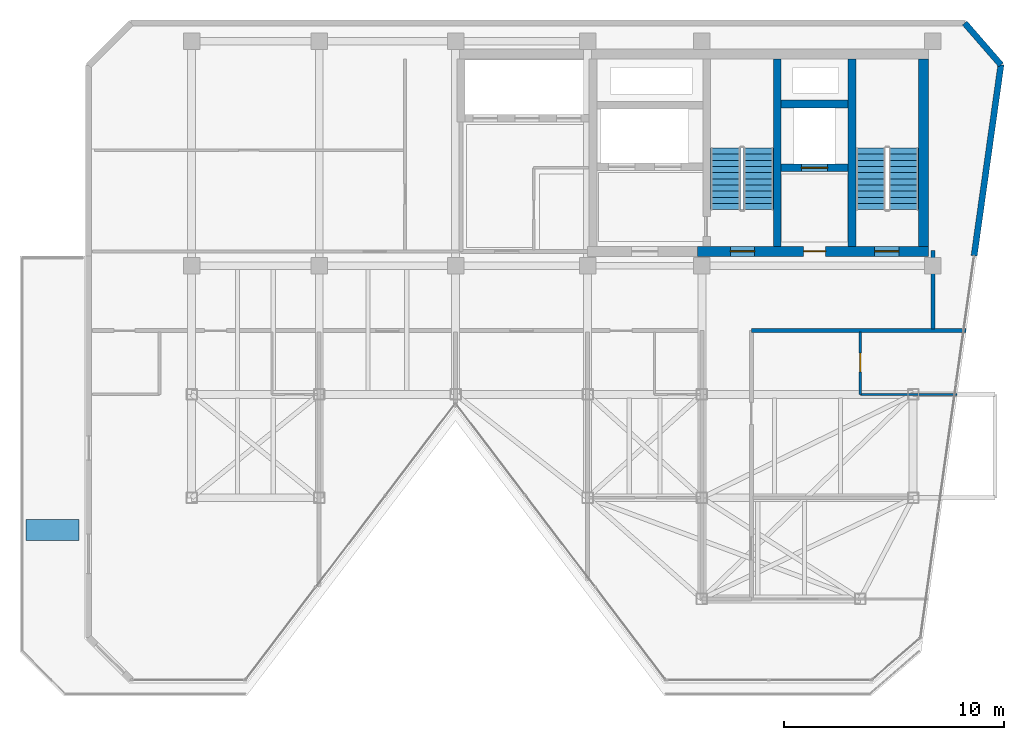
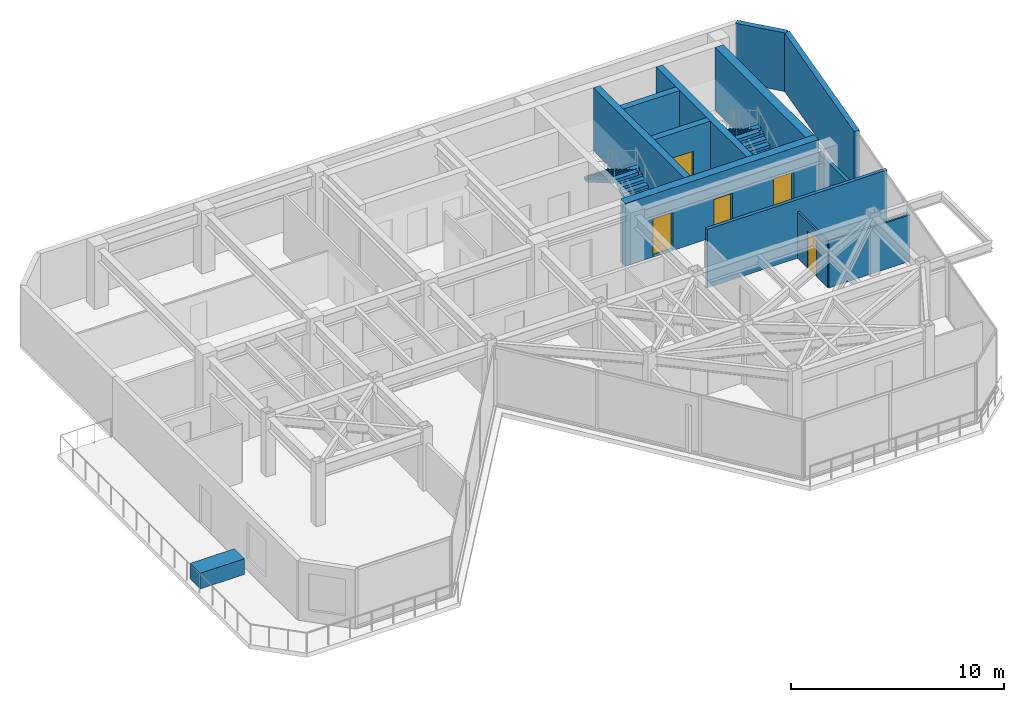
# One storey, part 15 of 17: 12 walls, 5 doors, 4 stair flights, 1 discrete accessory, 5 openings, 2 elements without a shape of their own.
"""IFC4 building model written with IfcOpenShell, lengths in metres."""

from ifc_helpers import new_model, si_unit, direction, frame, frame_2d, origin, origin_2d, place, context, subcontext, project, spatial, polyline, rectangle, outline, extrude, material, layer, layer_set, type_object, element, fill, aggregate, save


model = new_model("IFC4")

# Units and contexts
model_context = context("Model", 3, precision=1e-05, world=origin(), true_north=direction((0.0, 1.0)))
body_context = subcontext(model_context, "Body", "Model", "MODEL_VIEW")
ifc_project = project(units=[si_unit("LENGTHUNIT", "METRE"), si_unit("AREAUNIT", "SQUARE_METRE"), si_unit("VOLUMEUNIT", "CUBIC_METRE"), si_unit("PLANEANGLEUNIT", "RADIAN"), si_unit("MASSUNIT", "GRAM", prefix="KILO")], contexts=[model_context])

# Site, building, storey
site_placement = place(None, origin())
site = spatial("IfcSite", under=ifc_project, at=site_placement, CompositionType="ELEMENT")
building_placement = place(site_placement, origin())
building = spatial("IfcBuilding", under=site, at=building_placement, Name="Kravanh Interchange Tower", CompositionType="ELEMENT")
storey_placement = place(building_placement, frame((0.0, 0.0, 263.39990234375)))
storey = spatial("IfcBuildingStorey", under=building, at=storey_placement, Name="L64", CompositionType="ELEMENT", Elevation=263.39990234375)

# Walls
ifc_material_1 = material(Name="Concrete C60/75", Category="concrete")
ifc_layer_1 = layer(ifc_material_1, 0.35009765625)
ifc_layer_set_1 = layer_set([ifc_layer_1], Name="Core Shear Wall Concrete C60/75 350mm")
wall_type_1 = type_object("IfcWallType", Name="Core Shear Wall Concrete C60/75 350mm", PredefinedType="SHEAR", material=ifc_layer_set_1)
for number, where, z_axis, x_axis, name in (
    (1, (62.824951171875, 38.22509765625, 0.0), (0.0, 0.0, 1.0), (0.0, 1.0, 0.0), "L64 Stair ST1 West Shear Wall"),
    (2, (59.425048828125, 38.22509765625, 0.0), (0.0, 0.0, 1.0), (0.0, 1.0, 0.0), "L64 Stair ST2 East Shear Wall"),
):
    element("IfcWall", number, at=place(storey_placement, frame(where, z_axis=z_axis, x_axis=x_axis)), inside=storey, type_object=wall_type_1, Name=name, PredefinedType="SHEAR", context=body_context, shape_type="SweptSolid", body=[
        extrude(rectangle(XDim=8.52490234375, YDim=0.35009765625, at=frame_2d((4.262451171875, 0.0))), origin(), (0.0, 0.0, 1.0), 3.60009765625),
    ])

# Wall, opening, door
wall_1_placement = place(storey_placement, frame((59.60009765625, 41.800048828125, 0.0), z_axis=(0.0, 0.0, 1.0), x_axis=(1.0, 0.0, 0.0)))
wall_1 = element("IfcWall", 3, at=wall_1_placement, inside=storey, type_object=wall_type_1, Name="L64 Service Lift Shaft South Wall", PredefinedType="SHEAR", context=body_context, shape_type="SweptSolid", body=[
    extrude(rectangle(XDim=3.0498046875, YDim=0.35009765625, at=frame_2d((1.52490234375, 0.0))), origin(), (0.0, 0.0, 1.0), 3.60009765625),
])
opening_1_placement = place(wall_1_placement, frame((0.919921875, 0.0, 0.0)))
opening_1 = element("IfcOpeningElement", 4, at=opening_1_placement, cuts=wall_1, Name="Opening LD02", PredefinedType="OPENING", context=body_context, shape_type="SweptSolid", body=[
    extrude(rectangle(XDim=1.199951171875, YDim=2.199951171875, at=frame_2d((0.60009765625, 1.10009765625))), frame((0.0, 0.18505859375, 0.0), z_axis=(0.0, -1.0, 0.0), x_axis=(1.0, 0.0, 0.0)), (0.0, 0.0, 1.0), 0.3701171875),
])
ifc_material_2 = material(Name="Stainless Steel 316", Category="steel")
door_type_1 = type_object("IfcDoorType", Name="Fire and Service Lift Sliding Landing Door 1200x2200", OperationType="DOUBLE_DOOR_SLIDING", PredefinedType="DOOR", material=ifc_material_2)
door_1_placement = place(opening_1_placement, origin())
door_1 = element("IfcDoor", 5, at=door_1_placement, inside=storey, type_object=door_type_1, Name="L64 Lift LS-01 Landing Door", OperationType="DOUBLE_DOOR_SLIDING", OverallHeight=2.199951171875, OverallWidth=1.199951171875, PredefinedType="DOOR", context=body_context, shape_type="SweptSolid", body=[
    extrude(rectangle(XDim=1.199951171875, YDim=2.199951171875, at=frame_2d((0.60009765625, 1.10009765625))), frame((0.0, 0.02490234375, 0.0), z_axis=(0.0, -1.0, 0.0), x_axis=(1.0, 0.0, 0.0)), (0.0, 0.0, 1.0), 0.050048828125),
])
fill(opening_1, door_1)

# Wall
wall_2_placement = place(storey_placement, frame((59.60009765625, 44.699951171875, 0.0), z_axis=(0.0, 0.0, 1.0), x_axis=(1.0, 0.0, 0.0)))
element("IfcWall", 6, at=wall_2_placement, inside=storey, type_object=wall_type_1, Name="L64 Service Lift Shaft North Wall", PredefinedType="SHEAR", context=body_context, shape_type="SweptSolid", body=[
    extrude(rectangle(XDim=3.0498046875, YDim=0.35009765625, at=frame_2d((1.52490234375, 0.0))), origin(), (0.0, 0.0, 1.0), 3.60009765625),
])

# Wall, openings, doors
ifc_material_3 = material(Name="Concrete C60/75", Category="concrete")
ifc_layer_2 = layer(ifc_material_3, 0.449951171875)
ifc_layer_set_2 = layer_set([ifc_layer_2], Name="Core Shear Wall Concrete C60/75 450mm")
wall_type_2 = type_object("IfcWallType", Name="Core Shear Wall Concrete C60/75 450mm", PredefinedType="SHEAR", material=ifc_layer_set_2)
wall_3_placement = place(storey_placement, frame((55.800048828125, 38.0, 0.0), z_axis=(0.0, 0.0, 1.0), x_axis=(1.0, 0.0, 0.0)))
wall_3 = element("IfcWall", 7, at=wall_3_placement, inside=storey, type_object=wall_type_2, Name="L64 East Core South Shear Wall", PredefinedType="SHEAR", context=body_context, shape_type="SweptSolid", body=[
    extrude(rectangle(XDim=10.5, YDim=0.449951171875, at=frame_2d((5.25, 0.0))), origin(), (0.0, 0.0, 1.0), 3.60009765625),
])
opening_2_placement = place(wall_3_placement, frame((1.5, 0.0, 0.0)))
opening_2 = element("IfcOpeningElement", 8, at=opening_2_placement, cuts=wall_3, Name="Opening D-STAIR-110", PredefinedType="OPENING", context=body_context, shape_type="SweptSolid", body=[
    extrude(rectangle(XDim=1.10009765625, YDim=2.199951171875, at=frame_2d((0.550048828125, 1.10009765625))), frame((0.0, 0.23486328125, 0.0), z_axis=(0.0, -1.0, 0.0), x_axis=(1.0, 0.0, 0.0)), (0.0, 0.0, 1.0), 0.469970703125),
])
opening_3_placement = place(wall_3_placement, frame((4.820068359375, 0.0, 0.0)))
opening_3 = element("IfcOpeningElement", 9, at=opening_3_placement, cuts=wall_3, Name="Opening D-HOTEL-100", PredefinedType="OPENING", context=body_context, shape_type="SweptSolid", body=[
    extrude(rectangle(XDim=1.0, YDim=2.14990234375, at=frame_2d((0.5, 1.074951171875))), frame((0.0, 0.23486328125, 0.0), z_axis=(0.0, -1.0, 0.0), x_axis=(1.0, 0.0, 0.0)), (0.0, 0.0, 1.0), 0.469970703125),
])
opening_4_placement = place(wall_3_placement, frame((8.050048828125, 0.0, 0.0)))
opening_4 = element("IfcOpeningElement", 10, at=opening_4_placement, cuts=wall_3, Name="Opening D-STAIR-110", PredefinedType="OPENING", context=body_context, shape_type="SweptSolid", body=[
    extrude(rectangle(XDim=1.10009765625, YDim=2.199951171875, at=frame_2d((0.550048828125, 1.10009765625))), frame((0.0, 0.23486328125, 0.0), z_axis=(0.0, -1.0, 0.0), x_axis=(1.0, 0.0, 0.0)), (0.0, 0.0, 1.0), 0.469970703125),
])
ifc_material_4 = material(Name="Structural Steel S355", Category="steel")
door_type_2 = type_object("IfcDoorType", Name="Fire-Rated Exit Stair Door 1100x2200", OperationType="NOTDEFINED", PredefinedType="DOOR", material=ifc_material_4)
door_2_placement = place(opening_2_placement, origin())
door_2 = element("IfcDoor", 11, at=door_2_placement, inside=storey, type_object=door_type_2, Name="L64 Exit Stair ST2 Door", OperationType="SINGLE_SWING_RIGHT", OverallHeight=2.199951171875, OverallWidth=1.10009765625, PredefinedType="DOOR", context=body_context, shape_type="SweptSolid", body=[
    extrude(rectangle(XDim=1.10009765625, YDim=2.199951171875, at=frame_2d((0.550048828125, 1.10009765625))), frame((0.0, 0.02490234375, 0.0), z_axis=(0.0, -1.0, 0.0), x_axis=(1.0, 0.0, 0.0)), (0.0, 0.0, 1.0), 0.050048828125),
])
fill(opening_2, door_2)
door_3_placement = place(opening_4_placement, origin())
door_3 = element("IfcDoor", 12, at=door_3_placement, inside=storey, type_object=door_type_2, Name="L64 Exit Stair ST1 Door", OperationType="SINGLE_SWING_RIGHT", OverallHeight=2.199951171875, OverallWidth=1.10009765625, PredefinedType="DOOR", context=body_context, shape_type="SweptSolid", body=[
    extrude(rectangle(XDim=1.10009765625, YDim=2.199951171875, at=frame_2d((0.550048828125, 1.10009765625))), frame((0.0, 0.02490234375, 0.0), z_axis=(0.0, -1.0, 0.0), x_axis=(1.0, 0.0, 0.0)), (0.0, 0.0, 1.0), 0.050048828125),
])
fill(opening_4, door_3)
ifc_material_5 = material(Name="Fire-Rated Solid Timber Leaf", Category="wood")
door_type_3 = type_object("IfcDoorType", Name="Fire-Rated Suite Entrance Door 1000x2150", OperationType="NOTDEFINED", PredefinedType="DOOR", material=ifc_material_5)
door_4_placement = place(opening_3_placement, origin())
door_4 = element("IfcDoor", 13, at=door_4_placement, inside=storey, type_object=door_type_3, Name="L64 Service Lift Lobby Door", OperationType="SINGLE_SWING_RIGHT", OverallHeight=2.14990234375, OverallWidth=1.0, PredefinedType="DOOR", context=body_context, shape_type="SweptSolid", body=[
    extrude(rectangle(XDim=1.0, YDim=2.14990234375, at=frame_2d((0.5, 1.074951171875))), frame((0.0, 0.02490234375, 0.0), z_axis=(0.0, -1.0, 0.0), x_axis=(1.0, 0.0, 0.0)), (0.0, 0.0, 1.0), 0.050048828125),
])
fill(opening_3, door_4)

# Walls
wall_4_placement = place(storey_placement, frame((66.074951171875, 38.22509765625, 0.0), z_axis=(0.0, 0.0, 1.0), x_axis=(0.0, 1.0, 0.0)))
element("IfcWall", 14, at=wall_4_placement, inside=storey, type_object=wall_type_2, Name="L64 Stair ST1 East Shear Wall", PredefinedType="SHEAR", context=body_context, shape_type="SweptSolid", body=[
    extrude(rectangle(XDim=8.52490234375, YDim=0.449951171875, at=frame_2d((4.262451171875, 0.0))), origin(), (0.0, 0.0, 1.0), 3.60009765625),
])
ifc_material_6 = material(Name="Moisture-Resistant Gypsum Board and Mineral Wool")
ifc_layer_3 = layer(ifc_material_6, 0.10009765625)
ifc_layer_set_3 = layer_set([ifc_layer_3], Name="En-Suite Moisture-Resistant Partition 100mm")
wall_type_3 = type_object("IfcWallType", Name="En-Suite Moisture-Resistant Partition 100mm", PredefinedType="PARTITIONING", material=ifc_layer_set_3)
wall_5_placement = place(storey_placement, frame((63.199951171875, 31.5, 0.0), z_axis=(0.0, 0.0, 1.0), x_axis=(1.0, 0.0, 0.0)))
element("IfcWall", 15, at=wall_5_placement, inside=storey, type_object=wall_type_3, Name="L64 Interior Partition 19", PredefinedType="PARTITIONING", context=body_context, shape_type="SweptSolid", body=[
    extrude(rectangle(XDim=4.395751953125, YDim=0.10009765625, at=frame_2d((2.19775390625, 0.0))), origin(), (0.0, 0.0, 1.0), 2.6640625),
])

# Wall, opening, door
wall_6_placement = place(storey_placement, frame((63.199951171875, 31.5, 0.0), z_axis=(0.0, 0.0, 1.0), x_axis=(0.0, 1.0, 0.0)))
wall_6 = element("IfcWall", 16, at=wall_6_placement, inside=storey, type_object=wall_type_3, Name="L64 Interior Partition 20", PredefinedType="PARTITIONING", context=body_context, shape_type="SweptSolid", body=[
    extrude(rectangle(XDim=2.83203125, YDim=0.10009765625, at=frame_2d((1.416015625, 0.0))), origin(), (0.0, 0.0, 1.0), 2.6640625),
])
opening_5_placement = place(wall_6_placement, frame((1.02490234375, 0.0, 0.0)))
opening_5 = element("IfcOpeningElement", 17, at=opening_5_placement, cuts=wall_6, Name="Opening D-85", PredefinedType="OPENING", context=body_context, shape_type="SweptSolid", body=[
    extrude(rectangle(XDim=0.85009765625, YDim=2.10009765625, at=frame_2d((0.425048828125, 1.050048828125))), frame((0.0, 0.06005859375, 0.0), z_axis=(0.0, -1.0, 0.0), x_axis=(1.0, 0.0, 0.0)), (0.0, 0.0, 1.0), 0.1201171875),
])
ifc_material_7 = material(Name="Engineered Teak Veneer Timber", Category="wood")
door_type_4 = type_object("IfcDoorType", Name="En-Suite Timber Door 850x2100", OperationType="NOTDEFINED", PredefinedType="DOOR", material=ifc_material_7)
door_5_placement = place(opening_5_placement, origin())
door_5 = element("IfcDoor", 18, at=door_5_placement, inside=storey, type_object=door_type_4, Name="L64 En-suite Bathroom Door", OperationType="SINGLE_SWING_RIGHT", OverallHeight=2.10009765625, OverallWidth=0.85009765625, PredefinedType="DOOR", context=body_context, shape_type="SweptSolid", body=[
    extrude(rectangle(XDim=0.85009765625, YDim=2.10009765625, at=frame_2d((0.425048828125, 1.050048828125))), frame((0.0, 0.02490234375, 0.0), z_axis=(0.0, -1.0, 0.0), x_axis=(1.0, 0.0, 0.0)), (0.0, 0.0, 1.0), 0.050048828125),
])
fill(opening_5, door_5)

# Walls
ifc_material_8 = material(Name="Insulated Precast Concrete C40/50 with Bronze Cladding", Category="concrete")
ifc_layer_4 = layer(ifc_material_8, 0.280029296875)
ifc_layer_set_4 = layer_set([ifc_layer_4], Name="Exterior Insulated Concrete C40/50 Bronze Spandrel Wall 280mm")
wall_type_4 = type_object("IfcWallType", Name="Exterior Insulated Concrete C40/50 Bronze Spandrel Wall 280mm", PredefinedType="STANDARD", material=ifc_layer_set_4)
wall_7_placement = place(storey_placement, frame((67.9453125, 48.3798828125, 0.0), z_axis=(0.0, 0.0, 1.0), x_axis=(0.656068147197, -0.75470165379, 0.0)))
element("IfcWall", 19, at=wall_7_placement, inside=storey, type_object=wall_type_4, Name="L64 Exterior Wall 5", PredefinedType="STANDARD", context=body_context, shape_type="SweptSolid", body=[
    extrude(rectangle(XDim=2.514892578125, YDim=0.280029296875, at=frame_2d((1.25732421875, 0.0))), origin(), (0.0, 0.0, 1.0), 3.360107421875),
])
wall_8_placement = place(storey_placement, frame((69.59521484375, 46.48193359375, 0.0), z_axis=(0.0, 0.0, 1.0), x_axis=(-0.139179310088, -0.990267196086, 0.0)))
element("IfcWall", 20, at=wall_8_placement, inside=storey, type_object=wall_type_4, Name="L64 Exterior Wall 6", PredefinedType="STANDARD", context=body_context, shape_type="SweptSolid", body=[
    extrude(rectangle(XDim=8.767333984375, YDim=0.280029296875, at=frame_2d((4.3837890625, 0.0))), origin(), (0.0, 0.0, 1.0), 3.360107421875),
])
ifc_material_9 = material(Name="Autoclaved Aerated Concrete C30/37 Blockwork", Category="masonry")
ifc_layer_5 = layer(ifc_material_9, 0.179931640625)
ifc_layer_set_5 = layer_set([ifc_layer_5], Name="Fire-Rated Lobby and Corridor Wall Concrete C30/37 180mm")
wall_type_5 = type_object("IfcWallType", Name="Fire-Rated Lobby and Corridor Wall Concrete C30/37 180mm", PredefinedType="STANDARD", material=ifc_layer_set_5)
wall_9_placement = place(storey_placement, frame((58.25, 34.39990234375, 0.0), z_axis=(0.0, 0.0, 1.0), x_axis=(1.0, 0.0, 0.0)))
element("IfcWall", 21, at=wall_9_placement, inside=storey, type_object=wall_type_5, Name="L64 Interior Partition 10", PredefinedType="STANDARD", context=body_context, shape_type="SweptSolid", body=[
    extrude(rectangle(XDim=9.75341796875, YDim=0.179931640625, at=frame_2d((4.876708984375, 0.0))), origin(), (0.0, 0.0, 1.0), 3.360107421875),
])
wall_10_placement = place(storey_placement, frame((66.5, 34.468017578125, 0.0), z_axis=(0.0, 0.0, 1.0), x_axis=(0.0, 1.0, 0.0)))
element("IfcWall", 22, at=wall_10_placement, inside=storey, type_object=wall_type_5, Name="L64 Interior Partition 11", PredefinedType="STANDARD", context=body_context, shape_type="SweptSolid", body=[
    extrude(rectangle(XDim=3.58203125, YDim=0.179931640625, at=frame_2d((1.791015625, 0.0))), origin(), (0.0, 0.0, 1.0), 2.6640625),
])

# Stair, stair flights
ifc_material_10 = material(Name="Concrete C50/60", Category="concrete")
stair_type = type_object("IfcStairType", Name="Core Fire Exit Dogleg Stair Concrete C50/60", PredefinedType="HALF_TURN_STAIR", material=ifc_material_10)
stair_1_placement = place(storey_placement, origin())
stair_1 = element("IfcStair", 23, at=stair_1_placement, inside=storey, type_object=stair_type, Name="L64 Exit Stair ST1", PredefinedType="HALF_TURN_STAIR")
ifc_material_11 = material(Name="Precast Concrete C50/60", Category="concrete")
ifc_layer_6 = layer(ifc_material_11, 0.199951171875)
ifc_layer_set_6 = layer_set([ifc_layer_6], Name="Precast Concrete C50/60 Stair Flight 1350mm")
stair_flight_type = type_object("IfcStairFlightType", Name="Precast Concrete C50/60 Stair Flight 1350mm", PredefinedType="STRAIGHT", material=ifc_layer_set_6)
stair_flight_1_placement = place(storey_placement, frame((65.175048828125, 39.89990234375, 0.0), z_axis=(0.0, 0.0, 1.0), x_axis=(0.0, 1.0, 0.0)))
stair_flight_1 = element("IfcStairFlight", 24, at=stair_flight_1_placement, type_object=stair_flight_type, Name="ST1 flight 1", NumberOfRisers=11, NumberOfTreads=10, PredefinedType="STRAIGHT", RiserHeight=0.163636364, TreadLength=0.28, context=body_context, shape_type="SweptSolid", body=[
    extrude(outline(polyline([(0.0, 0.0), (0.0, 0.16357421875), (0.280029296875, 0.16357421875), (0.280029296875, 0.327392578125), (0.56005859375, 0.327392578125), (0.56005859375, 0.490966796875), (0.840087890625, 0.490966796875), (0.840087890625, 0.654541015625), (1.1201171875, 0.654541015625), (1.1201171875, 0.818115234375), (1.39990234375, 0.818115234375), (1.39990234375, 0.98193359375), (1.679931640625, 0.98193359375), (1.679931640625, 1.1455078125), (1.9599609375, 1.1455078125), (1.9599609375, 1.30908203125), (2.239990234375, 1.30908203125), (2.239990234375, 1.47265625), (2.52001953125, 1.47265625), (2.52001953125, 1.636474609375), (2.800048828125, 1.636474609375), (2.800048828125, 1.800048828125), (2.800048828125, 1.462646484375), (0.297119140625, 0.0), (0.0, 0.0)])), frame((0.0, 0.675048828125, 0.0), z_axis=(0.0, -1.0, 0.0), x_axis=(1.0, 0.0, 0.0)), (0.0, 0.0, 1.0), 1.35009765625),
])
stair_flight_2_placement = place(storey_placement, frame((63.675048828125, 42.699951171875, 1.800048828125), z_axis=(0.0, 0.0, 1.0), x_axis=(0.0, -1.0, 0.0)))
stair_flight_2 = element("IfcStairFlight", 25, at=stair_flight_2_placement, type_object=stair_flight_type, Name="ST1 flight 2", NumberOfRisers=11, NumberOfTreads=10, PredefinedType="STRAIGHT", RiserHeight=0.163636364, TreadLength=0.28, context=body_context, shape_type="SweptSolid", body=[
    extrude(outline(polyline([(0.0, 0.0), (0.0, 0.16357421875), (0.280029296875, 0.16357421875), (0.280029296875, 0.327392578125), (0.56005859375, 0.327392578125), (0.56005859375, 0.490966796875), (0.840087890625, 0.490966796875), (0.840087890625, 0.654541015625), (1.1201171875, 0.654541015625), (1.1201171875, 0.818115234375), (1.39990234375, 0.818115234375), (1.39990234375, 0.98193359375), (1.679931640625, 0.98193359375), (1.679931640625, 1.1455078125), (1.9599609375, 1.1455078125), (1.9599609375, 1.30908203125), (2.239990234375, 1.30908203125), (2.239990234375, 1.47265625), (2.52001953125, 1.47265625), (2.52001953125, 1.636474609375), (2.800048828125, 1.636474609375), (2.800048828125, 1.800048828125), (2.800048828125, 1.462646484375), (0.297119140625, 0.0), (0.0, 0.0)])), frame((0.0, 0.675048828125, 0.0), z_axis=(0.0, -1.0, 0.0), x_axis=(1.0, 0.0, 0.0)), (0.0, 0.0, 1.0), 1.35009765625),
])
aggregate(stair_1, [stair_flight_1, stair_flight_2])

stair_2_placement = place(storey_placement, origin())
stair_2 = element("IfcStair", 26, at=stair_2_placement, inside=storey, type_object=stair_type, Name="L64 Exit Stair ST2", PredefinedType="HALF_TURN_STAIR")
stair_flight_3_placement = place(storey_placement, frame((58.574951171875, 39.89990234375, 0.0), z_axis=(0.0, 0.0, 1.0), x_axis=(0.0, 1.0, 0.0)))
stair_flight_3 = element("IfcStairFlight", 27, at=stair_flight_3_placement, type_object=stair_flight_type, Name="ST2 flight 1", NumberOfRisers=11, NumberOfTreads=10, PredefinedType="STRAIGHT", RiserHeight=0.163636364, TreadLength=0.28, context=body_context, shape_type="SweptSolid", body=[
    extrude(outline(polyline([(0.0, 0.0), (0.0, 0.16357421875), (0.280029296875, 0.16357421875), (0.280029296875, 0.327392578125), (0.56005859375, 0.327392578125), (0.56005859375, 0.490966796875), (0.840087890625, 0.490966796875), (0.840087890625, 0.654541015625), (1.1201171875, 0.654541015625), (1.1201171875, 0.818115234375), (1.39990234375, 0.818115234375), (1.39990234375, 0.98193359375), (1.679931640625, 0.98193359375), (1.679931640625, 1.1455078125), (1.9599609375, 1.1455078125), (1.9599609375, 1.30908203125), (2.239990234375, 1.30908203125), (2.239990234375, 1.47265625), (2.52001953125, 1.47265625), (2.52001953125, 1.636474609375), (2.800048828125, 1.636474609375), (2.800048828125, 1.800048828125), (2.800048828125, 1.462646484375), (0.297119140625, 0.0), (0.0, 0.0)])), frame((0.0, 0.675048828125, 0.0), z_axis=(0.0, -1.0, 0.0), x_axis=(1.0, 0.0, 0.0)), (0.0, 0.0, 1.0), 1.35009765625),
])
stair_flight_4_placement = place(storey_placement, frame((57.074951171875, 42.699951171875, 1.800048828125), z_axis=(0.0, 0.0, 1.0), x_axis=(0.0, -1.0, 0.0)))
stair_flight_4 = element("IfcStairFlight", 28, at=stair_flight_4_placement, type_object=stair_flight_type, Name="ST2 flight 2", NumberOfRisers=11, NumberOfTreads=10, PredefinedType="STRAIGHT", RiserHeight=0.163636364, TreadLength=0.28, context=body_context, shape_type="SweptSolid", body=[
    extrude(outline(polyline([(0.0, 0.0), (0.0, 0.16357421875), (0.280029296875, 0.16357421875), (0.280029296875, 0.327392578125), (0.56005859375, 0.327392578125), (0.56005859375, 0.490966796875), (0.840087890625, 0.490966796875), (0.840087890625, 0.654541015625), (1.1201171875, 0.654541015625), (1.1201171875, 0.818115234375), (1.39990234375, 0.818115234375), (1.39990234375, 0.98193359375), (1.679931640625, 0.98193359375), (1.679931640625, 1.1455078125), (1.9599609375, 1.1455078125), (1.9599609375, 1.30908203125), (2.239990234375, 1.30908203125), (2.239990234375, 1.47265625), (2.52001953125, 1.47265625), (2.52001953125, 1.636474609375), (2.800048828125, 1.636474609375), (2.800048828125, 1.800048828125), (2.800048828125, 1.462646484375), (0.297119140625, 0.0), (0.0, 0.0)])), frame((0.0, 0.675048828125, 0.0), z_axis=(0.0, -1.0, 0.0), x_axis=(1.0, 0.0, 0.0)), (0.0, 0.0, 1.0), 1.35009765625),
])
aggregate(stair_2, [stair_flight_3, stair_flight_4])

# Discrete accessory
ifc_material_12 = material(Name="Architectural GRC Concrete C40/50 with Root Barrier", Category="concrete")
discrete_accessory_type = type_object("IfcDiscreteAccessoryType", Name="Stepped Terrace Tree Planter Box Concrete C40/50 2400x950x900", PredefinedType="USERDEFINED", material=ifc_material_12)
discrete_accessory_placement = place(storey_placement, frame((26.47998046875, 25.342041015625, 0.000244140625), z_axis=(0.0, 0.0, 1.0), x_axis=(1.0, 0.0, 0.0)))
element("IfcDiscreteAccessory", 29, at=discrete_accessory_placement, inside=storey, type_object=discrete_accessory_type, Name="L64 Stepped Terrace TREE PLANTER 1", ObjectType="PLANTER", PredefinedType="USERDEFINED", context=body_context, shape_type="SweptSolid", body=[
    extrude(rectangle(XDim=2.39990234375, YDim=0.949951171875, at=origin_2d()), origin(), (0.0, 0.0, 1.0), 0.89990234375),
])

save(model, "model.ifc")
